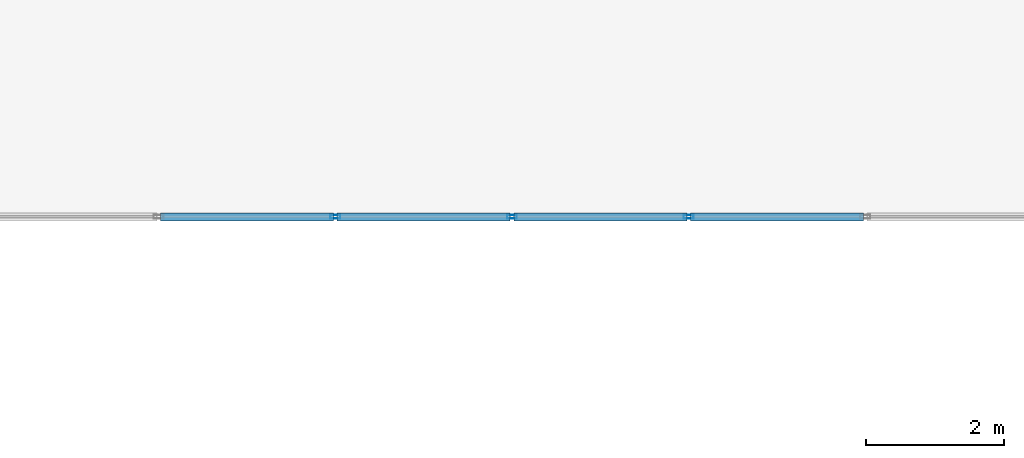
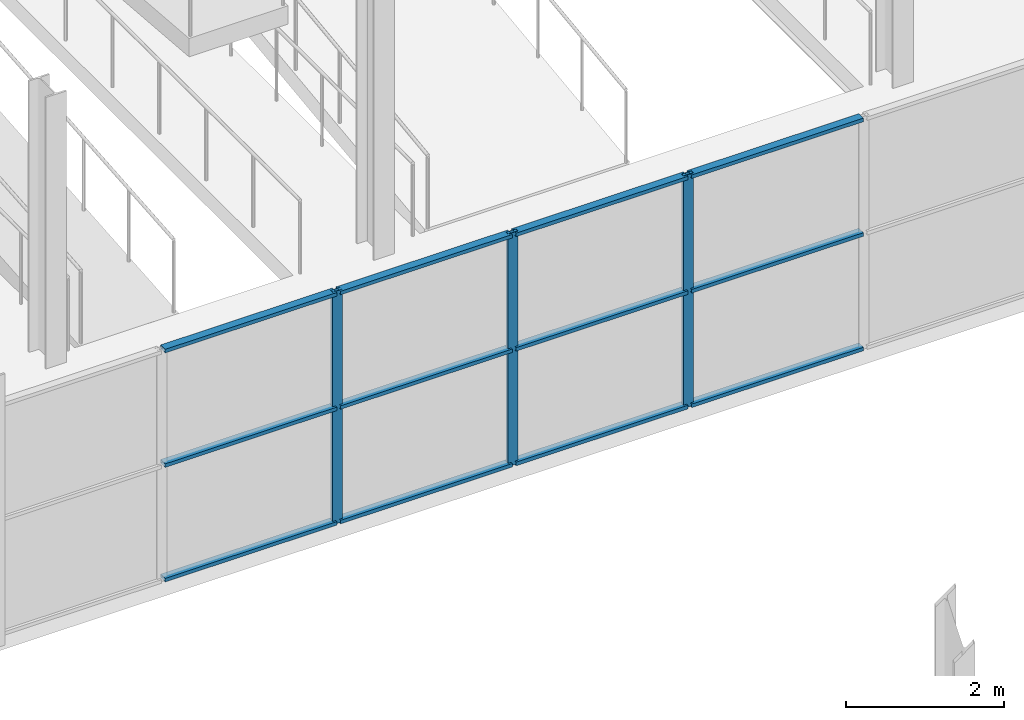
# One storey, part 59 of 140: 15 members, 1 element without a shape of its own.
"""IFC4 building model written with IfcOpenShell, lengths in metres."""

from ifc_helpers import new_model, si_unit, direction, frame, origin, origin_2d, place, context, subcontext, project, spatial, hollow_rectangle, extrude, material, layer, layer_set, material_profile, profile_set, type_object, element, aggregate, save


model = new_model("IFC4")

# Units and contexts
model_context = context("Model", 3, precision=1e-05, world=origin(), true_north=direction((0.0, 1.0)))
body_context = subcontext(model_context, "Body", "Model", "MODEL_VIEW")
ifc_project = project(units=[si_unit("LENGTHUNIT", "METRE"), si_unit("AREAUNIT", "SQUARE_METRE"), si_unit("VOLUMEUNIT", "CUBIC_METRE"), si_unit("PLANEANGLEUNIT", "RADIAN"), si_unit("MASSUNIT", "GRAM", prefix="KILO")], contexts=[model_context])

# Site, building, storey
site_placement = place(None, origin())
site = spatial("IfcSite", under=ifc_project, at=site_placement, CompositionType="ELEMENT")
building_placement = place(site_placement, origin())
building = spatial("IfcBuilding", under=site, at=building_placement, Name="Deido Ridge Mobility Hub", CompositionType="ELEMENT")
storey_placement = place(building_placement, origin())
storey = spatial("IfcBuildingStorey", under=building, at=storey_placement, Name="L00", CompositionType="ELEMENT", Elevation=0.0)

# Curtain wall, members
ifc_material = material(Name="Anodised aluminium EN AW-6063 T6", Category="aluminium")
ifc_layer = layer(ifc_material, 0.14404296875, Name="Anodised aluminium EN AW-6063 T6")
ifc_layer_set = layer_set([ifc_layer], Name="Anodised aluminium EN AW-6063 T6")
curtain_wall_type = type_object("IfcCurtainWallType", Name="CW-GS-2", PredefinedType="USERDEFINED", material=ifc_layer_set)
curtain_wall_placement = place(storey_placement, origin())
curtain_wall = element("IfcCurtainWall", 1, at=curtain_wall_placement, inside=storey, type_object=curtain_wall_type, Name="Unitised curtain wall GS2", ObjectType="GLAZED SCREEN", PredefinedType="USERDEFINED")
ifc_material_profile_1 = material_profile(ifc_material, hollow_rectangle(XDim=0.054931640625, YDim=0.14501953125, WallThickness=0.00390625, at=origin_2d()), Name="RHS 55x145x4")
ifc_profile_set_1 = profile_set([ifc_material_profile_1], Name="Anodised aluminium EN AW-6063 T6")
member_type_1 = type_object("IfcMemberType", Name="MEM-MUL-55X145", PredefinedType="MULLION", material=ifc_profile_set_1)
member_1_placement = place(storey_placement, frame((86.14599609375, 45.0, 0.0), z_axis=(0.0, 0.0, 1.0), x_axis=(0.0, 1.0, 0.0)))
member_1 = element("IfcMember", 2, at=member_1_placement, type_object=member_type_1, Name="GS2 mullion 3", PredefinedType="MULLION", context=body_context, shape_type="SweptSolid", body=[
    extrude(hollow_rectangle(XDim=0.054931640625, YDim=0.14501953125, WallThickness=0.00390625, at=origin_2d()), origin(), (0.0, 0.0, 1.0), 3.60009765625),
])
member_2_placement = place(storey_placement, frame((88.71533203125, 45.0, 0.0), z_axis=(0.0, 0.0, 1.0), x_axis=(0.0, 1.0, 0.0)))
member_2 = element("IfcMember", 3, at=member_2_placement, type_object=member_type_1, Name="GS2 mullion 4", PredefinedType="MULLION", context=body_context, shape_type="SweptSolid", body=[
    extrude(hollow_rectangle(XDim=0.054931640625, YDim=0.14501953125, WallThickness=0.00390625, at=origin_2d()), origin(), (0.0, 0.0, 1.0), 3.60009765625),
])
member_3_placement = place(storey_placement, frame((91.28466796875, 45.0, 0.0), z_axis=(0.0, 0.0, 1.0), x_axis=(0.0, 1.0, 0.0)))
member_3 = element("IfcMember", 4, at=member_3_placement, type_object=member_type_1, Name="GS2 mullion 5", PredefinedType="MULLION", context=body_context, shape_type="SweptSolid", body=[
    extrude(hollow_rectangle(XDim=0.054931640625, YDim=0.14501953125, WallThickness=0.00390625, at=origin_2d()), origin(), (0.0, 0.0, 1.0), 3.60009765625),
])
ifc_material_profile_2 = material_profile(ifc_material, hollow_rectangle(XDim=0.114990234375, YDim=0.054931640625, WallThickness=0.00390625, at=origin_2d()), Name="RHS 115x55x4")
ifc_profile_set_2 = profile_set([ifc_material_profile_2], Name="Anodised aluminium EN AW-6063 T6")
member_type_2 = type_object("IfcMemberType", Name="MEM-TRN-115X55", PredefinedType="USERDEFINED", material=ifc_profile_set_2)
member_4_placement = place(storey_placement, frame((83.60400390625, 45.0, 0.027587890625), z_axis=(1.0, 0.0, 0.0), x_axis=(0.0, 1.0, 0.0)))
member_4 = element("IfcMember", 5, at=member_4_placement, type_object=member_type_2, Name="GS2 transom 2.1", ObjectType="TRANSOM", PredefinedType="USERDEFINED", context=body_context, shape_type="SweptSolid", body=[
    extrude(hollow_rectangle(XDim=0.114990234375, YDim=0.054931640625, WallThickness=0.00390625, at=origin_2d()), origin(), (0.0, 0.0, 1.0), 2.514404296875),
])
member_5_placement = place(storey_placement, frame((83.60400390625, 45.0, 1.800048828125), z_axis=(1.0, 0.0, 0.0), x_axis=(0.0, 1.0, 0.0)))
member_5 = element("IfcMember", 6, at=member_5_placement, type_object=member_type_2, Name="GS2 transom 2.2", ObjectType="TRANSOM", PredefinedType="USERDEFINED", context=body_context, shape_type="SweptSolid", body=[
    extrude(hollow_rectangle(XDim=0.114990234375, YDim=0.054931640625, WallThickness=0.00390625, at=origin_2d()), origin(), (0.0, 0.0, 1.0), 2.514404296875),
])
member_6_placement = place(storey_placement, frame((83.60400390625, 45.0, 3.572509765625), z_axis=(1.0, 0.0, 0.0), x_axis=(0.0, 1.0, 0.0)))
member_6 = element("IfcMember", 7, at=member_6_placement, type_object=member_type_2, Name="GS2 transom 2.3", ObjectType="TRANSOM", PredefinedType="USERDEFINED", context=body_context, shape_type="SweptSolid", body=[
    extrude(hollow_rectangle(XDim=0.114990234375, YDim=0.054931640625, WallThickness=0.00390625, at=origin_2d()), origin(), (0.0, 0.0, 1.0), 2.514404296875),
])
member_7_placement = place(storey_placement, frame((86.17333984375, 45.0, 0.027587890625), z_axis=(1.0, 0.0, 0.0), x_axis=(0.0, 1.0, 0.0)))
member_7 = element("IfcMember", 8, at=member_7_placement, type_object=member_type_2, Name="GS2 transom 3.1", ObjectType="TRANSOM", PredefinedType="USERDEFINED", context=body_context, shape_type="SweptSolid", body=[
    extrude(hollow_rectangle(XDim=0.114990234375, YDim=0.054931640625, WallThickness=0.00390625, at=origin_2d()), origin(), (0.0, 0.0, 1.0), 2.514404296875),
])
member_8_placement = place(storey_placement, frame((86.17333984375, 45.0, 1.800048828125), z_axis=(1.0, 0.0, 0.0), x_axis=(0.0, 1.0, 0.0)))
member_8 = element("IfcMember", 9, at=member_8_placement, type_object=member_type_2, Name="GS2 transom 3.2", ObjectType="TRANSOM", PredefinedType="USERDEFINED", context=body_context, shape_type="SweptSolid", body=[
    extrude(hollow_rectangle(XDim=0.114990234375, YDim=0.054931640625, WallThickness=0.00390625, at=origin_2d()), origin(), (0.0, 0.0, 1.0), 2.514404296875),
])
member_9_placement = place(storey_placement, frame((86.17333984375, 45.0, 3.572509765625), z_axis=(1.0, 0.0, 0.0), x_axis=(0.0, 1.0, 0.0)))
member_9 = element("IfcMember", 10, at=member_9_placement, type_object=member_type_2, Name="GS2 transom 3.3", ObjectType="TRANSOM", PredefinedType="USERDEFINED", context=body_context, shape_type="SweptSolid", body=[
    extrude(hollow_rectangle(XDim=0.114990234375, YDim=0.054931640625, WallThickness=0.00390625, at=origin_2d()), origin(), (0.0, 0.0, 1.0), 2.514404296875),
])
member_10_placement = place(storey_placement, frame((88.742919921875, 45.0, 0.027587890625), z_axis=(1.0, 0.0, 0.0), x_axis=(0.0, 1.0, 0.0)))
member_10 = element("IfcMember", 11, at=member_10_placement, type_object=member_type_2, Name="GS2 transom 4.1", ObjectType="TRANSOM", PredefinedType="USERDEFINED", context=body_context, shape_type="SweptSolid", body=[
    extrude(hollow_rectangle(XDim=0.114990234375, YDim=0.054931640625, WallThickness=0.00390625, at=origin_2d()), origin(), (0.0, 0.0, 1.0), 2.51416015625),
])
member_11_placement = place(storey_placement, frame((88.742919921875, 45.0, 1.800048828125), z_axis=(1.0, 0.0, 0.0), x_axis=(0.0, 1.0, 0.0)))
member_11 = element("IfcMember", 12, at=member_11_placement, type_object=member_type_2, Name="GS2 transom 4.2", ObjectType="TRANSOM", PredefinedType="USERDEFINED", context=body_context, shape_type="SweptSolid", body=[
    extrude(hollow_rectangle(XDim=0.114990234375, YDim=0.054931640625, WallThickness=0.00390625, at=origin_2d()), origin(), (0.0, 0.0, 1.0), 2.51416015625),
])
member_12_placement = place(storey_placement, frame((88.742919921875, 45.0, 3.572509765625), z_axis=(1.0, 0.0, 0.0), x_axis=(0.0, 1.0, 0.0)))
member_12 = element("IfcMember", 13, at=member_12_placement, type_object=member_type_2, Name="GS2 transom 4.3", ObjectType="TRANSOM", PredefinedType="USERDEFINED", context=body_context, shape_type="SweptSolid", body=[
    extrude(hollow_rectangle(XDim=0.114990234375, YDim=0.054931640625, WallThickness=0.00390625, at=origin_2d()), origin(), (0.0, 0.0, 1.0), 2.51416015625),
])
member_13_placement = place(storey_placement, frame((91.312255859375, 45.0, 0.027587890625), z_axis=(1.0, 0.0, 0.0), x_axis=(0.0, 1.0, 0.0)))
member_13 = element("IfcMember", 14, at=member_13_placement, type_object=member_type_2, Name="GS2 transom 5.1", ObjectType="TRANSOM", PredefinedType="USERDEFINED", context=body_context, shape_type="SweptSolid", body=[
    extrude(hollow_rectangle(XDim=0.114990234375, YDim=0.054931640625, WallThickness=0.00390625, at=origin_2d()), origin(), (0.0, 0.0, 1.0), 2.514404296875),
])
member_14_placement = place(storey_placement, frame((91.312255859375, 45.0, 1.800048828125), z_axis=(1.0, 0.0, 0.0), x_axis=(0.0, 1.0, 0.0)))
member_14 = element("IfcMember", 15, at=member_14_placement, type_object=member_type_2, Name="GS2 transom 5.2", ObjectType="TRANSOM", PredefinedType="USERDEFINED", context=body_context, shape_type="SweptSolid", body=[
    extrude(hollow_rectangle(XDim=0.114990234375, YDim=0.054931640625, WallThickness=0.00390625, at=origin_2d()), origin(), (0.0, 0.0, 1.0), 2.514404296875),
])
member_15_placement = place(storey_placement, frame((91.312255859375, 45.0, 3.572509765625), z_axis=(1.0, 0.0, 0.0), x_axis=(0.0, 1.0, 0.0)))
member_15 = element("IfcMember", 16, at=member_15_placement, type_object=member_type_2, Name="GS2 transom 5.3", ObjectType="TRANSOM", PredefinedType="USERDEFINED", context=body_context, shape_type="SweptSolid", body=[
    extrude(hollow_rectangle(XDim=0.114990234375, YDim=0.054931640625, WallThickness=0.00390625, at=origin_2d()), origin(), (0.0, 0.0, 1.0), 2.514404296875),
])
aggregate(curtain_wall, [member_1, member_2, member_3, member_4, member_5, member_6, member_7, member_8, member_9, member_10, member_11, member_12, member_13, member_14, member_15])

save(model, "model.ifc")
